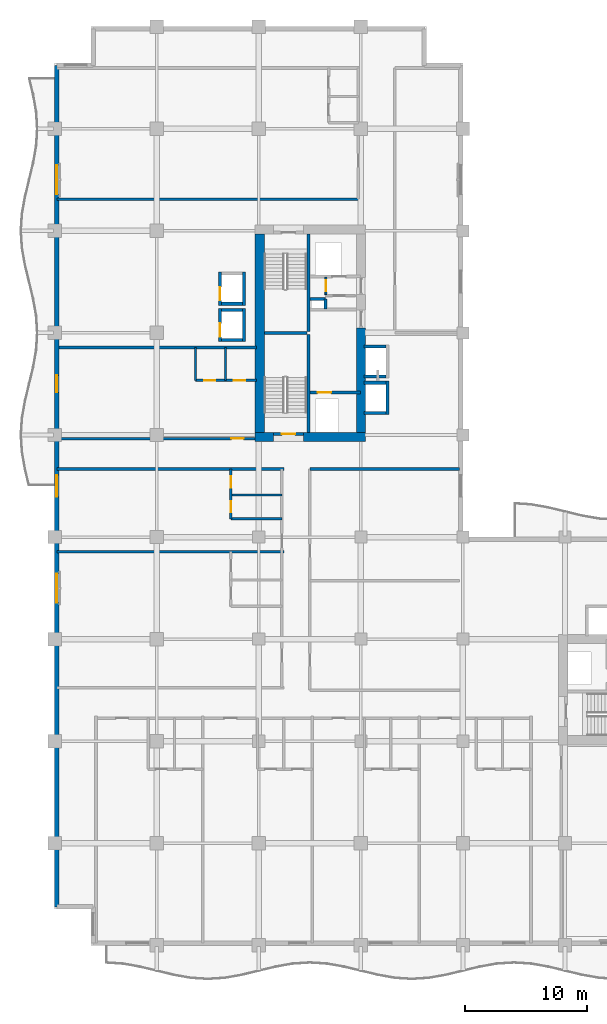
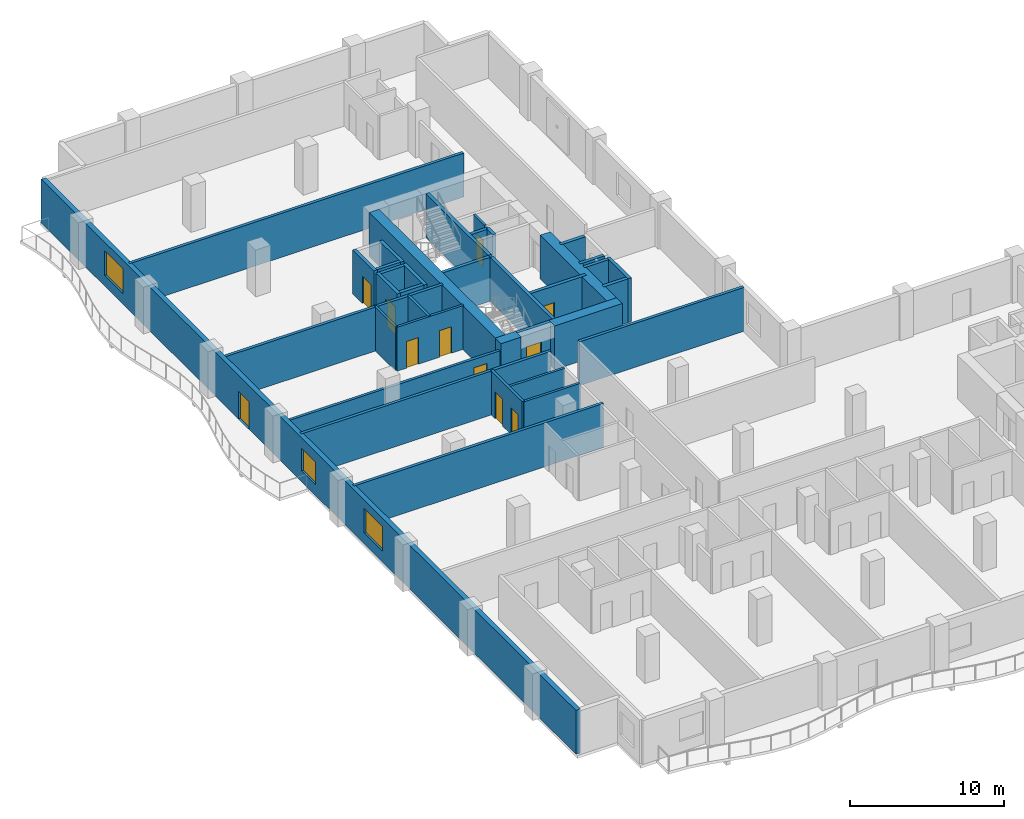
# One storey, part 12 of 22: 37 walls, 11 doors, 3 windows, 14 openings.
"""IFC4 building model written with IfcOpenShell, lengths in metres."""

import ifcopenshell
import ifcopenshell.guid

model = None  # the IFC model being written
_history = None  # IfcOwnerHistory: only IFC2X3 demands one
_inside = {}  # id of a spatial element -> (the spatial element, [elements in it])
_under = {}  # id of a project, library or spatial element -> (it, [spatial elements below it])
_declared = {}  # id of a project -> (the project, [libraries it declares])
_typed = {}  # id of a type object -> (the type object, [elements of that type])
_made_of = {}  # id of a material, layer set ... -> (it, [elements and type objects made of it])


def new_model(schema):
    """Start an empty IFC model of exactly this schema.

    Asked for "IFC4X3", IfcOpenShell would pick the latest addendum, in which some entities
    have other attributes; the version numbers below select the first issue.
    IFC2X3 requires an IfcOwnerHistory on every rooted entity: one is made here for all.
    """
    global model, _history
    if schema == "IFC4X3":
        model = ifcopenshell.file(schema_version=(4, 3, 0, 0))
    else:
        model = ifcopenshell.file(schema=schema)
    _inside.clear()
    _under.clear()
    _declared.clear()
    _typed.clear()
    _made_of.clear()
    _history = None
    if model.schema == "IFC2X3":
        org = make("IfcOrganization", Name="unknown")
        user = make(
            "IfcPersonAndOrganization",
            ThePerson=make("IfcPerson", FamilyName="unknown"),
            TheOrganization=org,
        )
        app = make(
            "IfcApplication",
            ApplicationDeveloper=org,
            Version="unknown",
            ApplicationFullName="unknown",
            ApplicationIdentifier="unknown",
        )
        _history = make(
            "IfcOwnerHistory",
            OwningUser=user,
            OwningApplication=app,
            ChangeAction="ADDED",
            CreationDate=0,
        )
    return model


def make(cls, **values):
    """One entity of the class cls with the attributes given. An attribute that is None is left unset."""
    return model.create_entity(
        cls, **{name: value for name, value in values.items() if value is not None}
    )


def rooted(cls, **values):
    """An entity with a GlobalId (a new one), such as an element, a storey or a relation."""
    return make(cls, GlobalId=ifcopenshell.guid.new(), OwnerHistory=_history, **values)


def si_unit(unit_type, name, prefix=None):
    """IfcSIUnit, for example si_unit("LENGTHUNIT", "METRE", prefix="MILLI")."""
    return make("IfcSIUnit", UnitType=unit_type, Prefix=prefix, Name=name)


def assignment(units):
    """IfcUnitAssignment: the units of a project."""
    return None if units is None else make("IfcUnitAssignment", Units=units)


def point(xyz):
    """IfcCartesianPoint."""
    return None if xyz is None else make("IfcCartesianPoint", Coordinates=xyz)


def direction(xyz):
    """IfcDirection."""
    return None if xyz is None else make("IfcDirection", DirectionRatios=xyz)


def frame(location, z_axis=None, x_axis=None):
    """IfcAxis2Placement3D, a coordinate frame: its origin and axes. An axis left out is left unset."""
    return make(
        "IfcAxis2Placement3D",
        Location=point(location),
        Axis=direction(z_axis),
        RefDirection=direction(x_axis),
    )


def frame_2d(location, x_axis=None):
    """IfcAxis2Placement2D, a coordinate frame in the plane: its origin and x axis."""
    return make(
        "IfcAxis2Placement2D", Location=point(location), RefDirection=direction(x_axis)
    )


def origin():
    """The frame at (0, 0, 0) with its axes left unset."""
    return frame((0.0, 0.0, 0.0))


def place(relative_to, where):
    """IfcLocalPlacement: puts the frame where relative to a parent placement (None: the world)."""
    return make(
        "IfcLocalPlacement", PlacementRelTo=relative_to, RelativePlacement=where
    )


def context(
    kind, dimensions, precision=None, world=None, true_north=None, identifier=None
):
    """IfcGeometricRepresentationContext, for example the 3D "Model" context."""
    return make(
        "IfcGeometricRepresentationContext",
        ContextIdentifier=identifier,
        ContextType=kind,
        CoordinateSpaceDimension=dimensions,
        Precision=precision,
        WorldCoordinateSystem=world,
        TrueNorth=true_north,
    )


def subcontext(parent, identifier, kind, view, scale=None):
    """IfcGeometricRepresentationSubContext, for example "Body" below "Model"."""
    return make(
        "IfcGeometricRepresentationSubContext",
        ContextIdentifier=identifier,
        ContextType=kind,
        ParentContext=parent,
        TargetScale=scale,
        TargetView=view,
    )


def project(units=None, contexts=None):
    """IfcProject with its units and contexts."""
    return rooted(
        "IfcProject",
        Name="project",
        RepresentationContexts=contexts,
        UnitsInContext=assignment(units),
    )


def spatial(cls, under=None, at=None, **own):
    """A site, building, storey or space (cls), placed at a placement, below another one or the project."""
    s = rooted(cls, ObjectPlacement=at, **own)
    if under is not None:
        _under.setdefault(under.id(), (under, []))[1].append(s)
    return s


def profile(cls, at=None, kind="AREA", **sizes):
    """A parametric profile (cls). Its sizes go by their IFC names, for example OverallWidth=200.0."""
    return make(cls, ProfileType=kind, Position=at, **sizes)


def rectangle(**sizes):
    """IfcRectangleProfileDef."""
    return profile("IfcRectangleProfileDef", **sizes)


def extrude(swept, where, along, depth):
    """IfcExtrudedAreaSolid: the profile swept, set in the frame where, extruded along a direction by depth."""
    return make(
        "IfcExtrudedAreaSolid",
        SweptArea=swept,
        Position=where,
        ExtrudedDirection=direction(along),
        Depth=depth,
    )


def shape(context_of_items, identifier, shape_type, items):
    """IfcShapeRepresentation: the items that make up one representation, for example the "Body"."""
    return make(
        "IfcShapeRepresentation",
        ContextOfItems=context_of_items,
        RepresentationIdentifier=identifier,
        RepresentationType=shape_type,
        Items=items,
    )


def material(Name=None, Category=None):
    """IfcMaterial."""
    return make("IfcMaterial", Name=Name, Category=Category)


def layer(
    of_material, thickness, ventilated=None, Name=None, Category=None, Priority=None
):
    """IfcMaterialLayer: one layer of a wall or slab, of a material (None: an air gap)."""
    return make(
        "IfcMaterialLayer",
        Material=of_material,
        LayerThickness=thickness,
        IsVentilated=ventilated,
        Name=Name,
        Category=Category,
        Priority=Priority,
    )


def layer_set(layers, Name=None):
    """IfcMaterialLayerSet."""
    return make("IfcMaterialLayerSet", MaterialLayers=layers, LayerSetName=Name)


def made_of(thing, what):
    """Note that an element or type object is made of a material, layer set ...; save() writes the relation."""
    if what is not None:
        _made_of.setdefault(what.id(), (what, []))[1].append(thing)
    return thing


def type_object(cls, material=None, **own):
    """A type object (cls), such as IfcWallType, which elements share."""
    return made_of(rooted(cls, **own), material)


def element(
    cls,
    number,
    at=None,
    inside=None,
    cuts=None,
    type_object=None,
    material=None,
    context=None,
    identifier="Body",
    shape_type=None,
    held_by="IfcProductDefinitionShape",
    body=None,
    shapes=None,
    **own,
):
    """One element of the class cls, such as IfcWall. Its Tag is "e" and its number.

    at: its placement. inside: the storey or other place that contains it. cuts: it is an
    opening in that element (IfcRelVoidsElement). A single representation is given by context,
    identifier, shape_type and body (its items); several are given by shapes. held_by: the class
    of the entity that holds the representations. save() writes the other relations.
    """
    e = rooted(cls, Tag="e%d" % number, ObjectPlacement=at, **own)
    if body is not None:
        shapes = [shape(context, identifier, shape_type, body)]
    if shapes is not None:
        e.Representation = make(held_by, Representations=shapes)
    if inside is not None:
        _inside.setdefault(inside.id(), (inside, []))[1].append(e)
    if cuts is not None:
        rooted(
            "IfcRelVoidsElement", RelatingBuildingElement=cuts, RelatedOpeningElement=e
        )
    if type_object is not None:
        _typed.setdefault(type_object.id(), (type_object, []))[1].append(e)
    return made_of(e, material)


def fill(opening, filler):
    """IfcRelFillsElement: the door or window that sits in an opening."""
    return rooted(
        "IfcRelFillsElement",
        RelatingOpeningElement=opening,
        RelatedBuildingElement=filler,
    )


def aggregate(whole, parts):
    """IfcRelAggregates: a whole, such as a stair, and the parts it consists of."""
    return rooted("IfcRelAggregates", RelatingObject=whole, RelatedObjects=parts)


def save(model, path):
    """Write the relations noted so far, then the file.

    IfcRelAggregates (storeys below a building ...), IfcRelContainedInSpatialStructure (elements
    in a storey), IfcRelDefinesByType, IfcRelAssociatesMaterial and IfcRelDeclares: one each for
    every whole, place, type object, material and project.
    """
    for whole, parts in _under.values():
        aggregate(whole, parts)
    for where, things in _inside.values():
        rooted(
            "IfcRelContainedInSpatialStructure",
            RelatedElements=things,
            RelatingStructure=where,
        )
    for kind, things in _typed.values():
        rooted("IfcRelDefinesByType", RelatedObjects=things, RelatingType=kind)
    for what, things in _made_of.values():
        rooted("IfcRelAssociatesMaterial", RelatedObjects=things, RelatingMaterial=what)
    for by, libraries in _declared.values():
        rooted("IfcRelDeclares", RelatingContext=by, RelatedDefinitions=libraries)
    model.write(path)


model = new_model("IFC4")

# Units and contexts
model_context = context("Model", 3, precision=1e-05, world=origin(), true_north=direction((0.0, 1.0)))
body_context = subcontext(model_context, "Body", "Model", "MODEL_VIEW")
ifc_project = project(units=[si_unit("LENGTHUNIT", "METRE"), si_unit("AREAUNIT", "SQUARE_METRE"), si_unit("VOLUMEUNIT", "CUBIC_METRE"), si_unit("PLANEANGLEUNIT", "RADIAN"), si_unit("MASSUNIT", "GRAM", prefix="KILO")], contexts=[model_context])

# Site, building, storey
site_placement = place(None, origin())
site = spatial("IfcSite", under=ifc_project, at=site_placement, CompositionType="ELEMENT")
building_placement = place(site_placement, origin())
building = spatial("IfcBuilding", under=site, at=building_placement, Name="Koriwani Terraces Tower", CompositionType="ELEMENT")
storey_placement = place(building_placement, frame((0.0, 0.0, 168.0)))
storey = spatial("IfcBuildingStorey", under=building, at=storey_placement, Name="L40", CompositionType="ELEMENT", Elevation=168.0)

# Walls
ifc_material_1 = material(Name="Concrete C60/75", Category="concrete")
ifc_layer_1 = layer(ifc_material_1, 0.75, Name="Concrete C60/75")
ifc_layer_set_1 = layer_set([ifc_layer_1], Name="Concrete C60/75")
wall_type_1 = type_object("IfcWallType", Name="WALL_CORE_RC_750", PredefinedType="SHEAR", material=ifc_layer_set_1)
wall_1_placement = place(storey_placement, frame((16.5, 41.824951171875, 0.0), z_axis=(0.0, 0.0, 1.0), x_axis=(1.0, 0.0, 0.0)))
element("IfcWall", 1, at=wall_1_placement, inside=storey, type_object=wall_type_1, Name="L40 West Split Core Shear Wall S1", PredefinedType="SHEAR", context=body_context, shape_type="SweptSolid", body=[
    extrude(rectangle(XDim=1.5, YDim=0.75, at=frame_2d((0.75, 0.0))), origin(), (0.0, 0.0, 1.0), 3.469970703125),
])
wall_2_placement = place(storey_placement, frame((20.5, 41.824951171875, 0.0), z_axis=(0.0, 0.0, 1.0), x_axis=(1.0, 0.0, 0.0)))
element("IfcWall", 2, at=wall_2_placement, inside=storey, type_object=wall_type_1, Name="L40 West Split Core Shear Wall S2", PredefinedType="SHEAR", context=body_context, shape_type="SweptSolid", body=[
    extrude(rectangle(XDim=5.074951171875, YDim=0.75, at=frame_2d((2.53759765625, 0.0))), origin(), (0.0, 0.0, 1.0), 3.469970703125),
])
wall_3_placement = place(storey_placement, frame((16.875, 42.199951171875, 0.0), z_axis=(0.0, 0.0, 1.0), x_axis=(0.0, 1.0, 0.0)))
element("IfcWall", 3, at=wall_3_placement, inside=storey, type_object=wall_type_1, Name="L40 West Split Core Shear Wall W1", PredefinedType="SHEAR", context=body_context, shape_type="SweptSolid", body=[
    extrude(rectangle(XDim=16.35009765625, YDim=0.75, at=frame_2d((8.175048828125, 0.0))), origin(), (0.0, 0.0, 1.0), 3.469970703125),
])
wall_4_placement = place(storey_placement, frame((25.199951171875, 42.199951171875, 0.0), z_axis=(0.0, 0.0, 1.0), x_axis=(0.0, 1.0, 0.0)))
element("IfcWall", 4, at=wall_4_placement, inside=storey, type_object=wall_type_1, Name="L40 West Split Core Shear Wall E1", PredefinedType="SHEAR", context=body_context, shape_type="SweptSolid", body=[
    extrude(rectangle(XDim=8.60009765625, YDim=0.75, at=frame_2d((4.300048828125, 0.0))), origin(), (0.0, 0.0, 1.0), 3.469970703125),
])

# Wall, opening, door
ifc_material_2 = material(Name="Autoclaved Cellular Concrete Blockwork", Category="masonry")
ifc_layer_2 = layer(ifc_material_2, 0.199951171875, Name="Autoclaved Cellular Concrete Blockwork")
ifc_layer_set_2 = layer_set([ifc_layer_2], Name="Autoclaved Cellular Concrete Blockwork")
wall_type_2 = type_object("IfcWallType", Name="WALL_CORRIDOR_200", PredefinedType="PARTITIONING", material=ifc_layer_set_2)
wall_5_placement = place(storey_placement, frame((0.35009765625, 41.699951171875, 0.0), z_axis=(0.0, 0.0, 1.0), x_axis=(1.0, 0.0, 0.0)))
wall_5 = element("IfcWall", 5, at=wall_5_placement, inside=storey, type_object=wall_type_2, Name="L40 Interior Wall WREC-WS-L40", PredefinedType="PARTITIONING", context=body_context, shape_type="SweptSolid", body=[
    extrude(rectangle(XDim=16.25, YDim=0.199951171875, at=frame_2d((8.125, 0.0))), origin(), (0.0, 0.0, 1.0), 2.820068359375),
])
opening_1_placement = place(wall_5_placement, frame((14.199951171875, 0.0, 0.0)))
opening_1 = element("IfcOpeningElement", 6, at=opening_1_placement, cuts=wall_5, Name="Opening D-05", PredefinedType="OPENING", context=body_context, shape_type="SweptSolid", body=[
    extrude(rectangle(XDim=1.0, YDim=2.14990234375, at=frame_2d((0.5, 1.074951171875))), frame((0.0, 0.10986328125, 0.0), z_axis=(0.0, -1.0, 0.0), x_axis=(1.0, 0.0, 0.0)), (0.0, 0.0, 1.0), 0.219970703125),
])
ifc_material_3 = material(Name="Architectural Oak Fire Door", Category="wood")
door_type_1 = type_object("IfcDoorType", Name="DOOR_SUITE_ENTRY_1000X2150", OperationType="NOTDEFINED", PredefinedType="DOOR", material=ifc_material_3)
door_1_placement = place(opening_1_placement, origin())
door_1 = element("IfcDoor", 7, at=door_1_placement, inside=storey, type_object=door_type_1, Name="L40 Reclaimed West Suite Door", OperationType="SINGLE_SWING_RIGHT", OverallHeight=2.14990234375, OverallWidth=1.0, PredefinedType="DOOR", context=body_context, shape_type="SweptSolid", body=[
    extrude(rectangle(XDim=1.0, YDim=2.14990234375, at=frame_2d((0.5, 1.074951171875))), frame((0.0, 0.02490234375, 0.0), z_axis=(0.0, -1.0, 0.0), x_axis=(1.0, 0.0, 0.0)), (0.0, 0.0, 1.0), 0.050048828125),
])
fill(opening_1, door_1)

# Walls
ifc_layer_3 = layer(ifc_material_2, 0.219970703125, Name="Autoclaved Cellular Concrete Blockwork")
ifc_layer_set_3 = layer_set([ifc_layer_3], Name="Autoclaved Cellular Concrete Blockwork")
wall_type_3 = type_object("IfcWallType", Name="WALL_DEMISING_220", PredefinedType="PARTITIONING", material=ifc_layer_set_3)
wall_6_placement = place(storey_placement, frame((0.35009765625, 49.199951171875, 0.0), z_axis=(0.0, 0.0, 1.0), x_axis=(1.0, 0.0, 0.0)))
element("IfcWall", 8, at=wall_6_placement, inside=storey, type_object=wall_type_3, Name="L40 Interior Wall WREC-WN-L40", PredefinedType="PARTITIONING", context=body_context, shape_type="SweptSolid", body=[
    extrude(rectangle(XDim=16.25, YDim=0.219970703125, at=frame_2d((8.125, 0.0))), origin(), (0.0, 0.0, 1.0), 3.469970703125),
])
wall_7_placement = place(storey_placement, frame((21.0, 39.199951171875, 0.0), z_axis=(0.0, 0.0, 1.0), x_axis=(1.0, 0.0, 0.0)))
element("IfcWall", 9, at=wall_7_placement, inside=storey, type_object=wall_type_3, Name="L40 Interior Wall WIC2-N-L40", PredefinedType="PARTITIONING", context=body_context, shape_type="SweptSolid", body=[
    extrude(rectangle(XDim=12.300048828125, YDim=0.219970703125, at=frame_2d((6.14990234375, 0.0))), origin(), (0.0, 0.0, 1.0), 3.469970703125),
])
for number, where, z_axis, x_axis, name in (
    (10, (0.199951171875, 32.39990234375, 0.0), (0.0, 0.0, 1.0), (1.0, 0.0, 0.0), "L40 Interior Wall WRDEM-L40-NW-1"),
    (11, (0.199951171875, 39.199951171875, 0.0), (0.0, 0.0, 1.0), (1.0, 0.0, 0.0), "L40 Interior Wall WRDEME-L40-NW"),
):
    element("IfcWall", number, at=place(storey_placement, frame(where, z_axis=z_axis, x_axis=x_axis)), inside=storey, type_object=wall_type_3, Name=name, PredefinedType="PARTITIONING", context=body_context, shape_type="SweptSolid", body=[
        extrude(rectangle(XDim=18.679931640625, YDim=0.219970703125, at=frame_2d((9.33984375, 0.0))), origin(), (0.0, 0.0, 1.0), 3.469970703125),
    ])
wall_8_placement = place(storey_placement, frame((0.199951171875, 61.39990234375, 0.0), z_axis=(0.0, 0.0, 1.0), x_axis=(1.0, 0.0, 0.0)))
element("IfcWall", 12, at=wall_8_placement, inside=storey, type_object=wall_type_3, Name="L40 Interior Wall WRDEM-L40-NE-0", PredefinedType="PARTITIONING", context=body_context, shape_type="SweptSolid", body=[
    extrude(rectangle(XDim=24.97998046875, YDim=0.219970703125, at=frame_2d((12.489990234375, 0.0))), origin(), (0.0, 0.0, 1.0), 3.469970703125),
])

# Wall, openings, door, windows
ifc_material_4 = material(Name="Concrete C50/60", Category="concrete")
ifc_layer_4 = layer(ifc_material_4, 0.35009765625, Name="Concrete C50/60")
ifc_layer_set_4 = layer_set([ifc_layer_4], Name="Concrete C50/60")
wall_type_4 = type_object("IfcWallType", Name="WALL_EXT_BRUTALIST_350", PredefinedType="STANDARD", material=ifc_layer_set_4)
wall_9_placement = place(storey_placement, frame((0.175048828125, 3.175048828125, 0.0), z_axis=(0.0, 0.0, 1.0), x_axis=(0.0, 1.0, 0.0)))
wall_9 = element("IfcWall", 13, at=wall_9_placement, inside=storey, type_object=wall_type_4, Name="L40 Fair-Faced Brutalist Exterior Wall (W)", PredefinedType="STANDARD", context=body_context, shape_type="SweptSolid", body=[
    extrude(rectangle(XDim=69.25, YDim=0.35009765625, at=frame_2d((34.625, 0.0))), origin(), (0.0, 0.0, 1.0), 3.469970703125),
])
opening_2_placement = place(wall_9_placement, frame((42.324951171875, 0.0, 0.0)))
opening_2 = element("IfcOpeningElement", 14, at=opening_2_placement, cuts=wall_9, Name="Opening D-09", PredefinedType="OPENING", context=body_context, shape_type="SweptSolid", body=[
    extrude(rectangle(XDim=1.39990234375, YDim=2.199951171875, at=frame_2d((0.699951171875, 1.10009765625))), frame((0.0, 0.18505859375, 0.0), z_axis=(0.0, -1.0, 0.0), x_axis=(1.0, 0.0, 0.0)), (0.0, 0.0, 1.0), 0.3701171875),
])
opening_3_placement = place(wall_9_placement, frame((25.02490234375, 0.0, 0.85009765625)))
opening_3 = element("IfcOpeningElement", 15, at=opening_3_placement, cuts=wall_9, Name="Opening W-03", PredefinedType="OPENING", context=body_context, shape_type="SweptSolid", body=[
    extrude(rectangle(XDim=2.39990234375, YDim=1.949951171875, at=frame_2d((1.199951171875, 0.97509765625))), frame((0.0, 0.18505859375, 0.0), z_axis=(0.0, -1.0, 0.0), x_axis=(1.0, 0.0, 0.0)), (0.0, 0.0, 1.0), 0.3701171875),
])
opening_4_placement = place(wall_9_placement, frame((33.72509765625, 0.0, 0.85009765625)))
opening_4 = element("IfcOpeningElement", 16, at=opening_4_placement, cuts=wall_9, Name="Opening W-04", PredefinedType="OPENING", context=body_context, shape_type="SweptSolid", body=[
    extrude(rectangle(XDim=1.800048828125, YDim=1.800048828125, at=frame_2d((0.89990234375, 0.89990234375))), frame((0.0, 0.18505859375, 0.0), z_axis=(0.0, -1.0, 0.0), x_axis=(1.0, 0.0, 0.0)), (0.0, 0.0, 1.0), 0.3701171875),
])
opening_5_placement = place(wall_9_placement, frame((58.625, 0.0, 0.85009765625)))
opening_5 = element("IfcOpeningElement", 17, at=opening_5_placement, cuts=wall_9, Name="Opening W-03", PredefinedType="OPENING", context=body_context, shape_type="SweptSolid", body=[
    extrude(rectangle(XDim=2.39990234375, YDim=1.949951171875, at=frame_2d((1.199951171875, 0.97509765625))), frame((0.0, 0.18505859375, 0.0), z_axis=(0.0, -1.0, 0.0), x_axis=(1.0, 0.0, 0.0)), (0.0, 0.0, 1.0), 0.3701171875),
])
ifc_material_5 = material(Name="Anodised Bronze Aluminium", Category="aluminium")
door_type_2 = type_object("IfcDoorType", Name="DOOR_BALCONY_GLAZED_1400X2200", OperationType="NOTDEFINED", PredefinedType="DOOR", material=ifc_material_5)
door_2_placement = place(opening_2_placement, origin())
door_2 = element("IfcDoor", 18, at=door_2_placement, inside=storey, type_object=door_type_2, Name="L40 West Balcony Glazed Door", OperationType="SINGLE_SWING_LEFT", OverallHeight=2.199951171875, OverallWidth=1.39990234375, PredefinedType="DOOR", context=body_context, shape_type="SweptSolid", body=[
    extrude(rectangle(XDim=1.39990234375, YDim=2.199951171875, at=frame_2d((0.699951171875, 1.10009765625))), frame((0.0, 0.02490234375, 0.0), z_axis=(0.0, -1.0, 0.0), x_axis=(1.0, 0.0, 0.0)), (0.0, 0.0, 1.0), 0.050048828125),
])
fill(opening_2, door_2)
ifc_material_6 = material(Name="Tempered Laminated Low-E Glass", Category="glass")
window_type_1 = type_object("IfcWindowType", Name="WIN_RES_BED_1800X1800", PartitioningType="DOUBLE_PANEL_VERTICAL", PredefinedType="WINDOW", material=ifc_material_6)
window_1_placement = place(opening_4_placement, origin())
window_1 = element("IfcWindow", 19, at=window_1_placement, inside=storey, type_object=window_type_1, Name="L40 Exterior Window (W-12)", OverallHeight=1.800048828125, OverallWidth=1.800048828125, PartitioningType="SINGLE_PANEL", PredefinedType="WINDOW", context=body_context, shape_type="SweptSolid", body=[
    extrude(rectangle(XDim=1.800048828125, YDim=1.800048828125, at=frame_2d((0.89990234375, 0.89990234375))), frame((0.0, 0.030029296875, 0.0), z_axis=(0.0, -1.0, 0.0), x_axis=(1.0, 0.0, 0.0)), (0.0, 0.0, 1.0), 0.06005859375),
])
fill(opening_4, window_1)
window_type_2 = type_object("IfcWindowType", Name="WIN_RES_LIVING_2400X1950", PartitioningType="DOUBLE_PANEL_VERTICAL", PredefinedType="WINDOW", material=ifc_material_6)
window_2_placement = place(opening_3_placement, origin())
window_2 = element("IfcWindow", 20, at=window_2_placement, inside=storey, type_object=window_type_2, Name="L40 Exterior Window (W-9)", OverallHeight=1.949951171875, OverallWidth=2.39990234375, PartitioningType="SINGLE_PANEL", PredefinedType="WINDOW", context=body_context, shape_type="SweptSolid", body=[
    extrude(rectangle(XDim=2.39990234375, YDim=1.949951171875, at=frame_2d((1.199951171875, 0.97509765625))), frame((0.0, 0.030029296875, 0.0), z_axis=(0.0, -1.0, 0.0), x_axis=(1.0, 0.0, 0.0)), (0.0, 0.0, 1.0), 0.06005859375),
])
fill(opening_3, window_2)
window_3_placement = place(opening_5_placement, origin())
window_3 = element("IfcWindow", 21, at=window_3_placement, inside=storey, type_object=window_type_2, Name="L40 Exterior Window (W-21)", OverallHeight=1.949951171875, OverallWidth=2.39990234375, PartitioningType="SINGLE_PANEL", PredefinedType="WINDOW", context=body_context, shape_type="SweptSolid", body=[
    extrude(rectangle(XDim=2.39990234375, YDim=1.949951171875, at=frame_2d((1.199951171875, 0.97509765625))), frame((0.0, 0.030029296875, 0.0), z_axis=(0.0, -1.0, 0.0), x_axis=(1.0, 0.0, 0.0)), (0.0, 0.0, 1.0), 0.06005859375),
])
fill(opening_5, window_3)

# Wall, openings, doors
ifc_material_7 = material(Name="Fire-Rated Acoustic Gypsum Partition", Category="masonry")
ifc_layer_5 = layer(ifc_material_7, 0.179931640625, Name="Fire-Rated Acoustic Gypsum Partition")
ifc_layer_set_5 = layer_set([ifc_layer_5], Name="Fire-Rated Acoustic Gypsum Partition")
wall_type_5 = type_object("IfcWallType", Name="WALL_PLUMBING_180", PredefinedType="PLUMBINGWALL", material=ifc_layer_set_5)
wall_10_placement = place(storey_placement, frame((11.60009765625, 46.5, 0.0), z_axis=(0.0, 0.0, 1.0), x_axis=(1.0, 0.0, 0.0)))
wall_10 = element("IfcWall", 22, at=wall_10_placement, inside=storey, type_object=wall_type_5, Name="L40 Interior Wall WREC-WBB-L40", PredefinedType="PLUMBINGWALL", context=body_context, shape_type="SweptSolid", body=[
    extrude(rectangle(XDim=5.0, YDim=0.179931640625, at=frame_2d((2.5, 0.0))), origin(), (0.0, 0.0, 1.0), 3.469970703125),
])
opening_6_placement = place(wall_10_placement, frame((0.699951171875, 0.0, 0.0)))
opening_6 = element("IfcOpeningElement", 23, at=opening_6_placement, cuts=wall_10, Name="Opening D-07", PredefinedType="OPENING", context=body_context, shape_type="SweptSolid", body=[
    extrude(rectangle(XDim=0.89990234375, YDim=2.10009765625, at=frame_2d((0.449951171875, 1.050048828125))), frame((0.0, 0.10009765625, 0.0), z_axis=(0.0, -1.0, 0.0), x_axis=(1.0, 0.0, 0.0)), (0.0, 0.0, 1.0), 0.199951171875),
])
opening_7_placement = place(wall_10_placement, frame((3.14990234375, 0.0, 0.0)))
opening_7 = element("IfcOpeningElement", 24, at=opening_7_placement, cuts=wall_10, Name="Opening D-06", PredefinedType="OPENING", context=body_context, shape_type="SweptSolid", body=[
    extrude(rectangle(XDim=0.919921875, YDim=2.10009765625, at=frame_2d((0.4599609375, 1.050048828125))), frame((0.0, 0.10009765625, 0.0), z_axis=(0.0, -1.0, 0.0), x_axis=(1.0, 0.0, 0.0)), (0.0, 0.0, 1.0), 0.199951171875),
])
door_type_3 = type_object("IfcDoorType", Name="DOOR_BATH_INT_900X2100", OperationType="NOTDEFINED", PredefinedType="DOOR", material=ifc_material_3)
door_3_placement = place(opening_6_placement, origin())
door_3 = element("IfcDoor", 25, at=door_3_placement, inside=storey, type_object=door_type_3, Name="Apartment 40RW Bathroom Door", OperationType="SINGLE_SWING_LEFT", OverallHeight=2.10009765625, OverallWidth=0.89990234375, PredefinedType="DOOR", context=body_context, shape_type="SweptSolid", body=[
    extrude(rectangle(XDim=0.89990234375, YDim=2.10009765625, at=frame_2d((0.449951171875, 1.050048828125))), frame((0.0, 0.02490234375, 0.0), z_axis=(0.0, -1.0, 0.0), x_axis=(1.0, 0.0, 0.0)), (0.0, 0.0, 1.0), 0.050048828125),
])
fill(opening_6, door_3)
door_type_4 = type_object("IfcDoorType", Name="DOOR_ROOM_INT_920X2100", OperationType="NOTDEFINED", PredefinedType="DOOR", material=ifc_material_3)
door_4_placement = place(opening_7_placement, origin())
door_4 = element("IfcDoor", 26, at=door_4_placement, inside=storey, type_object=door_type_4, Name="Apartment 40RW Kitchen Door", OperationType="SINGLE_SWING_RIGHT", OverallHeight=2.10009765625, OverallWidth=0.919921875, PredefinedType="DOOR", context=body_context, shape_type="SweptSolid", body=[
    extrude(rectangle(XDim=0.919921875, YDim=2.10009765625, at=frame_2d((0.4599609375, 1.050048828125))), frame((0.0, 0.02490234375, 0.0), z_axis=(0.0, -1.0, 0.0), x_axis=(1.0, 0.0, 0.0)), (0.0, 0.0, 1.0), 0.050048828125),
])
fill(opening_7, door_4)

# Walls
for number, where, z_axis, x_axis, name in (
    (27, (11.60009765625, 46.5, 0.0), (0.0, 0.0, 1.0), (0.0, 1.0, 0.0), "L40 Interior Wall WREC-WB2-L40"),
    (28, (14.050048828125, 46.5, 0.0), (0.0, 0.0, 1.0), (0.0, 1.0, 0.0), "L40 Interior Wall WREC-WB3-L40"),
):
    element("IfcWall", number, at=place(storey_placement, frame(where, z_axis=z_axis, x_axis=x_axis)), inside=storey, type_object=wall_type_5, Name=name, PredefinedType="PLUMBINGWALL", context=body_context, shape_type="SweptSolid", body=[
        extrude(rectangle(XDim=2.699951171875, YDim=0.179931640625, at=frame_2d((1.35009765625, 0.0))), origin(), (0.0, 0.0, 1.0), 3.469970703125),
    ])

# Wall, openings, doors
wall_11_placement = place(storey_placement, frame((14.5, 35.10009765625, 0.0), z_axis=(0.0, 0.0, 1.0), x_axis=(0.0, 1.0, 0.0)))
wall_11 = element("IfcWall", 29, at=wall_11_placement, inside=storey, type_object=wall_type_5, Name="L40 Interior Wall WRSVC-L40-NW-1", PredefinedType="PLUMBINGWALL", context=body_context, shape_type="SweptSolid", body=[
    extrude(rectangle(XDim=4.099853515625, YDim=0.179931640625, at=frame_2d((2.0498046875, 0.0))), origin(), (0.0, 0.0, 1.0), 3.469970703125),
])
opening_8_placement = place(wall_11_placement, frame((0.533935546875, 0.0, 0.0)))
opening_8 = element("IfcOpeningElement", 30, at=opening_8_placement, cuts=wall_11, Name="Opening D-07", PredefinedType="OPENING", context=body_context, shape_type="SweptSolid", body=[
    extrude(rectangle(XDim=0.89990234375, YDim=2.10009765625, at=frame_2d((0.449951171875, 1.050048828125))), frame((0.0, 0.10009765625, 0.0), z_axis=(0.0, -1.0, 0.0), x_axis=(1.0, 0.0, 0.0)), (0.0, 0.0, 1.0), 0.199951171875),
])
opening_9_placement = place(wall_11_placement, frame((2.573974609375, 0.0, 0.0)))
opening_9 = element("IfcOpeningElement", 31, at=opening_9_placement, cuts=wall_11, Name="Opening D-06", PredefinedType="OPENING", context=body_context, shape_type="SweptSolid", body=[
    extrude(rectangle(XDim=0.919921875, YDim=2.10009765625, at=frame_2d((0.4599609375, 1.050048828125))), frame((0.0, 0.10009765625, 0.0), z_axis=(0.0, -1.0, 0.0), x_axis=(1.0, 0.0, 0.0)), (0.0, 0.0, 1.0), 0.199951171875),
])
door_5_placement = place(opening_8_placement, origin())
door_5 = element("IfcDoor", 32, at=door_5_placement, inside=storey, type_object=door_type_3, Name="Apartment 40NW2 Bathroom Door", OperationType="SINGLE_SWING_RIGHT", OverallHeight=2.10009765625, OverallWidth=0.89990234375, PredefinedType="DOOR", context=body_context, shape_type="SweptSolid", body=[
    extrude(rectangle(XDim=0.89990234375, YDim=2.10009765625, at=frame_2d((0.449951171875, 1.050048828125))), frame((0.0, 0.02490234375, 0.0), z_axis=(0.0, -1.0, 0.0), x_axis=(1.0, 0.0, 0.0)), (0.0, 0.0, 1.0), 0.050048828125),
])
fill(opening_8, door_5)
door_6_placement = place(opening_9_placement, origin())
door_6 = element("IfcDoor", 33, at=door_6_placement, inside=storey, type_object=door_type_4, Name="Apartment 40NW2 Kitchen Door", OperationType="SINGLE_SWING_LEFT", OverallHeight=2.10009765625, OverallWidth=0.919921875, PredefinedType="DOOR", context=body_context, shape_type="SweptSolid", body=[
    extrude(rectangle(XDim=0.919921875, YDim=2.10009765625, at=frame_2d((0.4599609375, 1.050048828125))), frame((0.0, 0.02490234375, 0.0), z_axis=(0.0, -1.0, 0.0), x_axis=(1.0, 0.0, 0.0)), (0.0, 0.0, 1.0), 0.050048828125),
])
fill(opening_9, door_6)

# Walls
for number, where, z_axis, x_axis, name in (
    (34, (14.5, 35.10009765625, 0.0), (0.0, 0.0, 1.0), (1.0, 0.0, 0.0), "L40 Interior Wall WRSVCS-L40-NW-1"),
    (35, (14.5, 37.068115234375, 0.0), (0.0, 0.0, 1.0), (1.0, 0.0, 0.0), "L40 Interior Wall WRSVCM-L40-NW-1"),
):
    element("IfcWall", number, at=place(storey_placement, frame(where, z_axis=z_axis, x_axis=x_axis)), inside=storey, type_object=wall_type_5, Name=name, PredefinedType="PLUMBINGWALL", context=body_context, shape_type="SweptSolid", body=[
        extrude(rectangle(XDim=4.199951171875, YDim=0.179931640625, at=frame_2d((2.10009765625, 0.0))), origin(), (0.0, 0.0, 1.0), 3.469970703125),
    ])
ifc_material_8 = material(Name="Concrete C40/50", Category="concrete")
ifc_layer_6 = layer(ifc_material_8, 0.25, Name="Concrete C40/50")
ifc_layer_set_6 = layer_set([ifc_layer_6], Name="Concrete C40/50")
wall_type_6 = type_object("IfcWallType", Name="WALL_SHAFT_RATED_250", PredefinedType="SOLIDWALL", material=ifc_layer_set_6)
for number, where, z_axis, x_axis, name in (
    (36, (20.875, 42.199951171875, 0.0), (0.0, 0.0, 1.0), (0.0, 1.0, 0.0), "L40 West Split Core Web Wall MID1"),
    (37, (20.875, 50.5, 0.0), (0.0, 0.0, 1.0), (0.0, 1.0, 0.0), "L40 West Split Core Web Wall MID2"),
):
    element("IfcWall", number, at=place(storey_placement, frame(where, z_axis=z_axis, x_axis=x_axis)), inside=storey, type_object=wall_type_6, Name=name, PredefinedType="SOLIDWALL", context=body_context, shape_type="SweptSolid", body=[
        extrude(rectangle(XDim=8.050048828125, YDim=0.25, at=frame_2d((4.02490234375, 0.0))), origin(), (0.0, 0.0, 1.0), 3.469970703125),
    ])
wall_12_placement = place(storey_placement, frame((17.25, 50.375, 0.0), z_axis=(0.0, 0.0, 1.0), x_axis=(1.0, 0.0, 0.0)))
element("IfcWall", 38, at=wall_12_placement, inside=storey, type_object=wall_type_6, Name="L40 West Split Core Stair Dividing Wall", PredefinedType="SOLIDWALL", context=body_context, shape_type="SweptSolid", body=[
    extrude(rectangle(XDim=3.5, YDim=0.25, at=frame_2d((1.75, 0.0))), origin(), (0.0, 0.0, 1.0), 3.469970703125),
])

# Wall, opening, door
wall_13_placement = place(storey_placement, frame((18.0, 42.074951171875, 0.0), z_axis=(0.0, 0.0, 1.0), x_axis=(1.0, 0.0, 0.0)))
wall_13 = element("IfcWall", 39, at=wall_13_placement, inside=storey, type_object=wall_type_6, Name="L40 Interior Wall WIN-CW-L40-STS", PredefinedType="SOLIDWALL", context=body_context, shape_type="SweptSolid", body=[
    extrude(rectangle(XDim=2.5, YDim=0.25, at=frame_2d((1.25, 0.0))), origin(), (0.0, 0.0, 1.0), 3.469970703125),
])
opening_10_placement = place(wall_13_placement, frame((0.699951171875, 0.0, 0.0)))
opening_10 = element("IfcOpeningElement", 40, at=opening_10_placement, cuts=wall_13, Name="Opening D-03", PredefinedType="OPENING", context=body_context, shape_type="SweptSolid", body=[
    extrude(rectangle(XDim=1.10009765625, YDim=2.14990234375, at=frame_2d((0.550048828125, 1.074951171875))), frame((0.0, 0.135009765625, 0.0), z_axis=(0.0, -1.0, 0.0), x_axis=(1.0, 0.0, 0.0)), (0.0, 0.0, 1.0), 0.27001953125),
])
ifc_material_9 = material(Name="Steel ASTM A572 Grade 50", Category="steel")
door_type_5 = type_object("IfcDoorType", Name="DOOR_STAIR_FIRE_1100X2150", OperationType="NOTDEFINED", PredefinedType="DOOR", material=ifc_material_9)
door_7_placement = place(opening_10_placement, origin())
door_7 = element("IfcDoor", 41, at=door_7_placement, inside=storey, type_object=door_type_5, Name="L40 Exit Stair ST-W1 Door", OperationType="SINGLE_SWING_RIGHT", OverallHeight=2.14990234375, OverallWidth=1.10009765625, PredefinedType="DOOR", context=body_context, shape_type="SweptSolid", body=[
    extrude(rectangle(XDim=1.10009765625, YDim=2.14990234375, at=frame_2d((0.550048828125, 1.074951171875))), frame((0.0, 0.02490234375, 0.0), z_axis=(0.0, -1.0, 0.0), x_axis=(1.0, 0.0, 0.0)), (0.0, 0.0, 1.0), 0.050048828125),
])
fill(opening_10, door_7)

wall_14_placement = place(storey_placement, frame((21.0, 45.5, 0.0), z_axis=(0.0, 0.0, 1.0), x_axis=(1.0, 0.0, 0.0)))
wall_14 = element("IfcWall", 42, at=wall_14_placement, inside=storey, type_object=wall_type_6, Name="L40 Interior Wall WIN-CW-L40-FE", PredefinedType="SOLIDWALL", context=body_context, shape_type="SweptSolid", body=[
    extrude(rectangle(XDim=4.14990234375, YDim=0.25, at=frame_2d((2.074951171875, 0.0))), origin(), (0.0, 0.0, 1.0), 3.469970703125),
])
opening_11_placement = place(wall_14_placement, frame((0.64990234375, 0.0, 0.0)))
opening_11 = element("IfcOpeningElement", 43, at=opening_11_placement, cuts=wall_14, Name="Opening LD-01", PredefinedType="OPENING", context=body_context, shape_type="SweptSolid", body=[
    extrude(rectangle(XDim=1.10009765625, YDim=2.14990234375, at=frame_2d((0.550048828125, 1.074951171875))), frame((0.0, 0.135009765625, 0.0), z_axis=(0.0, -1.0, 0.0), x_axis=(1.0, 0.0, 0.0)), (0.0, 0.0, 1.0), 0.27001953125),
])
door_type_6 = type_object("IfcDoorType", Name="DOOR_LIFT_LANDING_1100X2200", OperationType="NOTDEFINED", PredefinedType="DOOR", material=ifc_material_9)
door_8_placement = place(opening_11_placement, origin())
door_8 = element("IfcDoor", 44, at=door_8_placement, inside=storey, type_object=door_type_6, Name="L40 Firefighting Lift FE-01 Landing Door", OperationType="SLIDING_TO_LEFT", OverallHeight=2.14990234375, OverallWidth=1.10009765625, PredefinedType="DOOR", context=body_context, shape_type="SweptSolid", body=[
    extrude(rectangle(XDim=1.10009765625, YDim=2.14990234375, at=frame_2d((0.550048828125, 1.074951171875))), frame((0.0, 0.02490234375, 0.0), z_axis=(0.0, -1.0, 0.0), x_axis=(1.0, 0.0, 0.0)), (0.0, 0.0, 1.0), 0.050048828125),
])
fill(opening_11, door_8)

# Walls
wall_15_placement = place(storey_placement, frame((21.0, 53.199951171875, 0.0), z_axis=(0.0, 0.0, 1.0), x_axis=(1.0, 0.0, 0.0)))
element("IfcWall", 45, at=wall_15_placement, inside=storey, type_object=wall_type_6, Name="L40 Interior Wall WIN-CW-L40-RS1", PredefinedType="SOLIDWALL", context=body_context, shape_type="SweptSolid", body=[
    extrude(rectangle(XDim=1.300048828125, YDim=0.25, at=frame_2d((0.64990234375, 0.0))), origin(), (0.0, 0.0, 1.0), 3.469970703125),
])
wall_16_placement = place(storey_placement, frame((22.300048828125, 52.360107421875, 0.0), z_axis=(0.0, 0.0, 1.0), x_axis=(0.0, 1.0, 0.0)))
element("IfcWall", 46, at=wall_16_placement, inside=storey, type_object=wall_type_6, Name="L40 Interior Wall WIN-CW-L40-RS2", PredefinedType="SOLIDWALL", context=body_context, shape_type="SweptSolid", body=[
    extrude(rectangle(XDim=0.83984375, YDim=0.25, at=frame_2d((0.419921875, 0.0))), origin(), (0.0, 0.0, 1.0), 3.469970703125),
])

# Wall, opening, door
wall_17_placement = place(storey_placement, frame((13.60009765625, 49.675048828125, 0.0), z_axis=(0.0, 0.0, 1.0), x_axis=(0.0, 1.0, 0.0)))
wall_17 = element("IfcWall", 47, at=wall_17_placement, inside=storey, type_object=wall_type_6, Name="L40 Interior Wall WIN-LF-PE-M1-L40-F", PredefinedType="SOLIDWALL", context=body_context, shape_type="SweptSolid", body=[
    extrude(rectangle(XDim=2.75, YDim=0.25, at=frame_2d((1.375, 0.0))), origin(), (0.0, 0.0, 1.0), 3.469970703125),
])
opening_12_placement = place(wall_17_placement, frame((0.39990234375, 0.0, 0.0)))
opening_12 = element("IfcOpeningElement", 48, at=opening_12_placement, cuts=wall_17, Name="Opening LD-01", PredefinedType="OPENING", context=body_context, shape_type="SweptSolid", body=[
    extrude(rectangle(XDim=1.10009765625, YDim=2.14990234375, at=frame_2d((0.550048828125, 1.074951171875))), frame((0.0, 0.135009765625, 0.0), z_axis=(0.0, -1.0, 0.0), x_axis=(1.0, 0.0, 0.0)), (0.0, 0.0, 1.0), 0.27001953125),
])
door_9_placement = place(opening_12_placement, origin())
door_9 = element("IfcDoor", 49, at=door_9_placement, inside=storey, type_object=door_type_6, Name="L40 Passenger Lift PE-M1 Landing Door", OperationType="SLIDING_TO_LEFT", OverallHeight=2.14990234375, OverallWidth=1.10009765625, PredefinedType="DOOR", context=body_context, shape_type="SweptSolid", body=[
    extrude(rectangle(XDim=1.10009765625, YDim=2.14990234375, at=frame_2d((0.550048828125, 1.074951171875))), frame((0.0, 0.02490234375, 0.0), z_axis=(0.0, -1.0, 0.0), x_axis=(1.0, 0.0, 0.0)), (0.0, 0.0, 1.0), 0.050048828125),
])
fill(opening_12, door_9)

# Walls
wall_18_placement = place(storey_placement, frame((15.60009765625, 49.675048828125, 0.0), z_axis=(0.0, 0.0, 1.0), x_axis=(0.0, 1.0, 0.0)))
element("IfcWall", 50, at=wall_18_placement, inside=storey, type_object=wall_type_6, Name="L40 Interior Wall WIN-LF-PE-M1-L40-B", PredefinedType="SOLIDWALL", context=body_context, shape_type="SweptSolid", body=[
    extrude(rectangle(XDim=2.75, YDim=0.25, at=frame_2d((1.375, 0.0))), origin(), (0.0, 0.0, 1.0), 3.469970703125),
])
for number, where, z_axis, x_axis, name in (
    (51, (13.72509765625, 49.800048828125, 0.0), (0.0, 0.0, 1.0), (1.0, 0.0, 0.0), "L40 Interior Wall WIN-LF-PE-M1-L40-S"),
    (52, (13.72509765625, 52.300048828125, 0.0), (0.0, 0.0, 1.0), (1.0, 0.0, 0.0), "L40 Interior Wall WIN-LF-PE-M1-L40-N"),
):
    element("IfcWall", number, at=place(storey_placement, frame(where, z_axis=z_axis, x_axis=x_axis)), inside=storey, type_object=wall_type_6, Name=name, PredefinedType="SOLIDWALL", context=body_context, shape_type="SweptSolid", body=[
        extrude(rectangle(XDim=1.75, YDim=0.25, at=frame_2d((0.875, 0.0))), origin(), (0.0, 0.0, 1.0), 3.469970703125),
    ])

# Wall, opening, door
wall_19_placement = place(storey_placement, frame((13.60009765625, 52.675048828125, 0.0), z_axis=(0.0, 0.0, 1.0), x_axis=(0.0, 1.0, 0.0)))
wall_19 = element("IfcWall", 53, at=wall_19_placement, inside=storey, type_object=wall_type_6, Name="L40 Interior Wall WIN-LF-PE-M2-L40-F", PredefinedType="SOLIDWALL", context=body_context, shape_type="SweptSolid", body=[
    extrude(rectangle(XDim=2.75, YDim=0.25, at=frame_2d((1.375, 0.0))), origin(), (0.0, 0.0, 1.0), 3.469970703125),
])
opening_13_placement = place(wall_19_placement, frame((0.39990234375, 0.0, 0.0)))
opening_13 = element("IfcOpeningElement", 54, at=opening_13_placement, cuts=wall_19, Name="Opening LD-01", PredefinedType="OPENING", context=body_context, shape_type="SweptSolid", body=[
    extrude(rectangle(XDim=1.10009765625, YDim=2.14990234375, at=frame_2d((0.550048828125, 1.074951171875))), frame((0.0, 0.135009765625, 0.0), z_axis=(0.0, -1.0, 0.0), x_axis=(1.0, 0.0, 0.0)), (0.0, 0.0, 1.0), 0.27001953125),
])
door_10_placement = place(opening_13_placement, origin())
door_10 = element("IfcDoor", 55, at=door_10_placement, inside=storey, type_object=door_type_6, Name="L40 Passenger Lift PE-M2 Landing Door", OperationType="SLIDING_TO_LEFT", OverallHeight=2.14990234375, OverallWidth=1.10009765625, PredefinedType="DOOR", context=body_context, shape_type="SweptSolid", body=[
    extrude(rectangle(XDim=1.10009765625, YDim=2.14990234375, at=frame_2d((0.550048828125, 1.074951171875))), frame((0.0, 0.02490234375, 0.0), z_axis=(0.0, -1.0, 0.0), x_axis=(1.0, 0.0, 0.0)), (0.0, 0.0, 1.0), 0.050048828125),
])
fill(opening_13, door_10)

# Walls
wall_20_placement = place(storey_placement, frame((15.60009765625, 52.675048828125, 0.0), z_axis=(0.0, 0.0, 1.0), x_axis=(0.0, 1.0, 0.0)))
element("IfcWall", 56, at=wall_20_placement, inside=storey, type_object=wall_type_6, Name="L40 Interior Wall WIN-LF-PE-M2-L40-B", PredefinedType="SOLIDWALL", context=body_context, shape_type="SweptSolid", body=[
    extrude(rectangle(XDim=2.75, YDim=0.25, at=frame_2d((1.375, 0.0))), origin(), (0.0, 0.0, 1.0), 3.469970703125),
])
wall_21_placement = place(storey_placement, frame((13.72509765625, 52.800048828125, 0.0), z_axis=(0.0, 0.0, 1.0), x_axis=(1.0, 0.0, 0.0)))
element("IfcWall", 57, at=wall_21_placement, inside=storey, type_object=wall_type_6, Name="L40 Interior Wall WIN-LF-PE-M2-L40-S", PredefinedType="SOLIDWALL", context=body_context, shape_type="SweptSolid", body=[
    extrude(rectangle(XDim=1.75, YDim=0.25, at=frame_2d((0.875, 0.0))), origin(), (0.0, 0.0, 1.0), 3.469970703125),
])
wall_22_placement = place(storey_placement, frame((27.39990234375, 43.675048828125, 0.0), z_axis=(0.0, 0.0, 1.0), x_axis=(0.0, 1.0, 0.0)))
element("IfcWall", 58, at=wall_22_placement, inside=storey, type_object=wall_type_6, Name="L40 Interior Wall WIN-LF-PE-H1-L40-F", PredefinedType="SOLIDWALL", context=body_context, shape_type="SweptSolid", body=[
    extrude(rectangle(XDim=2.75, YDim=0.25, at=frame_2d((1.375, 0.0))), origin(), (0.0, 0.0, 1.0), 3.469970703125),
])
for number, where, z_axis, x_axis, name in (
    (59, (25.449951171875, 43.800048828125, 0.0), (0.0, 0.0, 1.0), (1.0, 0.0, 0.0), "L40 Interior Wall WIN-LF-PE-H1-L40-S"),
    (60, (25.449951171875, 46.300048828125, 0.0), (0.0, 0.0, 1.0), (1.0, 0.0, 0.0), "L40 Interior Wall WIN-LF-PE-H1-L40-N"),
    (61, (25.449951171875, 46.800048828125, 0.0), (0.0, 0.0, 1.0), (1.0, 0.0, 0.0), "L40 Interior Wall WIN-LF-PE-H2-L40-S"),
    (62, (25.449951171875, 49.300048828125, 0.0), (0.0, 0.0, 1.0), (1.0, 0.0, 0.0), "L40 Interior Wall WIN-LF-PE-H2-L40-N"),
):
    element("IfcWall", number, at=place(storey_placement, frame(where, z_axis=z_axis, x_axis=x_axis)), inside=storey, type_object=wall_type_6, Name=name, PredefinedType="SOLIDWALL", context=body_context, shape_type="SweptSolid", body=[
        extrude(rectangle(XDim=1.824951171875, YDim=0.25, at=frame_2d((0.91259765625, 0.0))), origin(), (0.0, 0.0, 1.0), 3.469970703125),
    ])

# Wall, opening, door
ifc_layer_7 = layer(ifc_material_7, 0.159912109375, Name="Fire-Rated Acoustic Gypsum Partition")
ifc_layer_set_7 = layer_set([ifc_layer_7], Name="Fire-Rated Acoustic Gypsum Partition")
wall_type_7 = type_object("IfcWallType", Name="WALL_SUITE_160", PredefinedType="PARTITIONING", material=ifc_layer_set_7)
wall_23_placement = place(storey_placement, frame((22.320068359375, 53.56005859375, 0.0), z_axis=(0.0, 0.0, 1.0), x_axis=(0.0, 1.0, 0.0)))
wall_23 = element("IfcWall", 63, at=wall_23_placement, inside=storey, type_object=wall_type_7, Name="L40 Interior Wall WIN-CW-L40-SV1A", PredefinedType="PARTITIONING", context=body_context, shape_type="SweptSolid", body=[
    extrude(rectangle(XDim=1.43994140625, YDim=0.159912109375, at=frame_2d((0.719970703125, 0.0))), origin(), (0.0, 0.0, 1.0), 3.469970703125),
])
opening_14_placement = place(wall_23_placement, frame((0.260009765625, 0.0, 0.0)))
opening_14 = element("IfcOpeningElement", 64, at=opening_14_placement, cuts=wall_23, Name="Opening D-07", PredefinedType="OPENING", context=body_context, shape_type="SweptSolid", body=[
    extrude(rectangle(XDim=0.89990234375, YDim=2.10009765625, at=frame_2d((0.449951171875, 1.050048828125))), frame((0.0, 0.08984375, 0.0), z_axis=(0.0, -1.0, 0.0), x_axis=(1.0, 0.0, 0.0)), (0.0, 0.0, 1.0), 0.179931640625),
])
door_11_placement = place(opening_14_placement, origin())
door_11 = element("IfcDoor", 65, at=door_11_placement, inside=storey, type_object=door_type_3, Name="L40 West Telecom Room Door", OperationType="SINGLE_SWING_RIGHT", OverallHeight=2.10009765625, OverallWidth=0.89990234375, PredefinedType="DOOR", context=body_context, shape_type="SweptSolid", body=[
    extrude(rectangle(XDim=0.89990234375, YDim=2.10009765625, at=frame_2d((0.449951171875, 1.050048828125))), frame((0.0, 0.02490234375, 0.0), z_axis=(0.0, -1.0, 0.0), x_axis=(1.0, 0.0, 0.0)), (0.0, 0.0, 1.0), 0.050048828125),
])
fill(opening_14, door_11)

save(model, "model.ifc")
